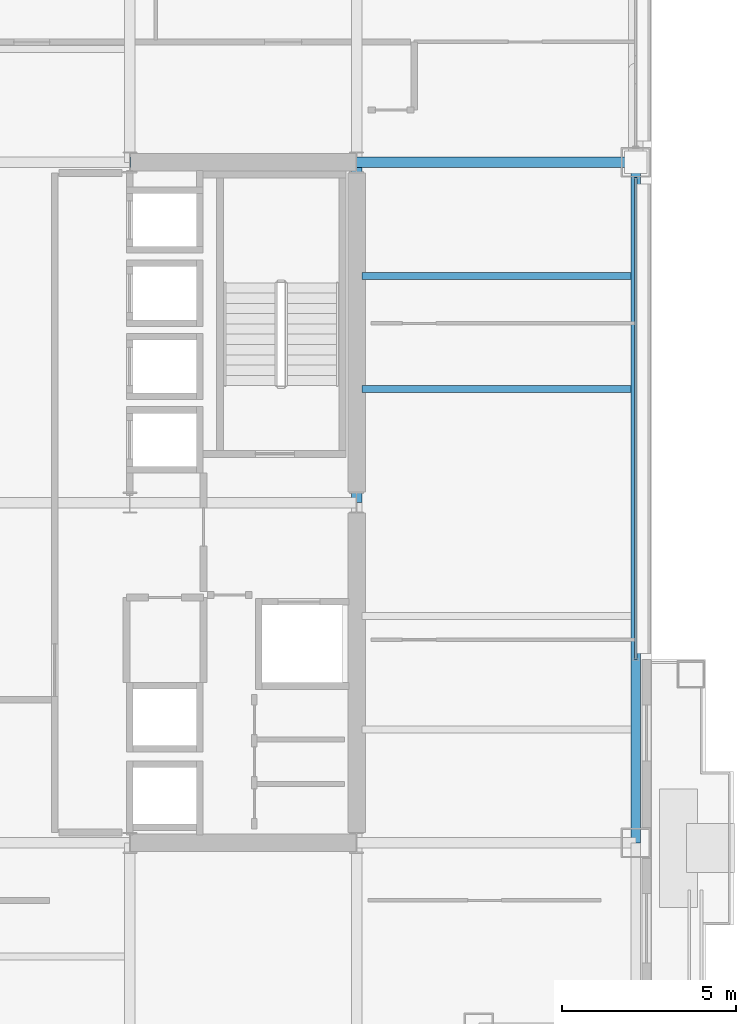
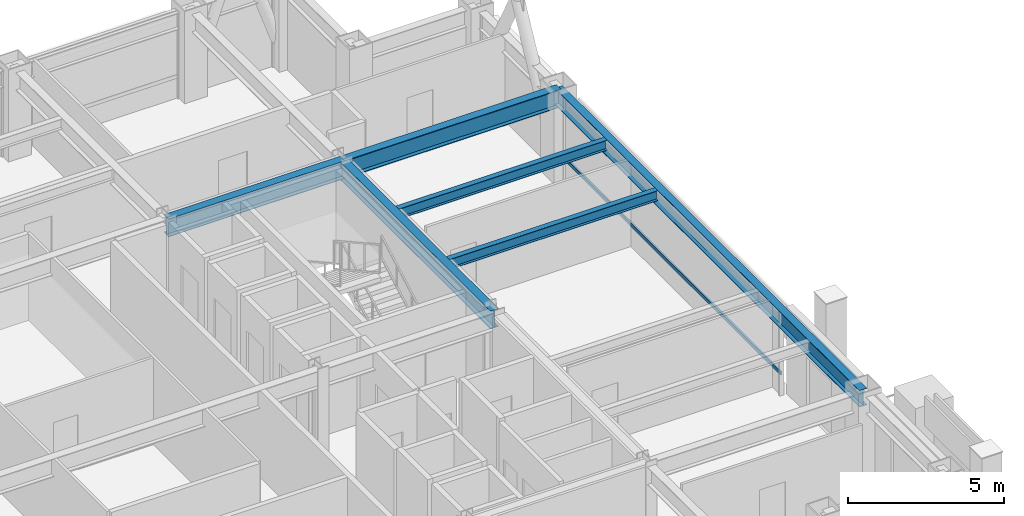
# One storey, part 15 of 32: 6 beams, 1 member, 1 element without a shape of its own.
"""IFC4 building model written with IfcOpenShell, lengths in metres."""

from ifc_helpers import new_model, si_unit, direction, frame, origin, origin_2d, place, context, subcontext, project, spatial, hollow_rectangle, i_section, extrude, material, layer, layer_set, material_profile, profile_set, type_object, element, aggregate, save


model = new_model("IFC4")

# Units and contexts
model_context = context("Model", 3, precision=1e-05, world=origin(), true_north=direction((0.0, 1.0)))
body_context = subcontext(model_context, "Body", "Model", "MODEL_VIEW")
ifc_project = project(units=[si_unit("LENGTHUNIT", "METRE"), si_unit("AREAUNIT", "SQUARE_METRE"), si_unit("VOLUMEUNIT", "CUBIC_METRE"), si_unit("PLANEANGLEUNIT", "RADIAN"), si_unit("MASSUNIT", "GRAM", prefix="KILO")], contexts=[model_context])

# Site, building, storey
site_placement = place(None, origin())
site = spatial("IfcSite", under=ifc_project, at=site_placement, CompositionType="ELEMENT")
building_placement = place(site_placement, origin())
building = spatial("IfcBuilding", under=site, at=building_placement, Name="Brelmoor Portico Tower", CompositionType="ELEMENT")
storey_placement = place(building_placement, frame((0.0, 0.0, 109.800048828125)))
storey = spatial("IfcBuildingStorey", under=building, at=storey_placement, Name="L28", CompositionType="ELEMENT", Elevation=109.800048828125)

# Beams
ifc_material_1 = material(Name="Steel Q355B", Category="steel")
ifc_material_profile_1 = material_profile(ifc_material_1, i_section(OverallWidth=0.199951171875, OverallDepth=0.39990234375, WebThickness=0.008056640625, FlangeThickness=0.012939453125, at=origin_2d()), Name="HN 400x200x8x13")
ifc_profile_set_1 = profile_set([ifc_material_profile_1], Name="Steel Q355B")
beam_type_1 = type_object("IfcBeamType", Name="BM-JS-400", PredefinedType="JOIST", material=ifc_profile_set_1)
for number, where, z_axis, x_axis, name in (
    (1, (14.699951171875, 3.25, 3.199951171875), (1.0, 0.0, 0.0), (0.0, 1.0, 0.0), "L28 Secondary Wing Joist JS-E11"),
    (2, (14.699951171875, 6.5, 3.199951171875), (1.0, 0.0, 0.0), (0.0, 1.0, 0.0), "L28 Secondary Wing Joist JS-E12"),
):
    element("IfcBeam", number, at=place(storey_placement, frame(where, z_axis=z_axis, x_axis=x_axis)), inside=storey, type_object=beam_type_1, Name=name, PredefinedType="JOIST", context=body_context, shape_type="SweptSolid", body=[
        extrude(i_section(OverallWidth=0.199951171875, OverallDepth=0.39990234375, WebThickness=0.008056640625, FlangeThickness=0.012939453125, at=origin_2d()), origin(), (0.0, 0.0, 1.0), 7.7099609375),
    ])
ifc_material_profile_2 = material_profile(ifc_material_1, i_section(OverallWidth=0.300048828125, OverallDepth=0.699951171875, WebThickness=0.012939453125, FlangeThickness=0.02392578125, at=origin_2d()), Name="HN 700x300x13x24")
ifc_profile_set_2 = profile_set([ifc_material_profile_2], Name="Steel Q355B")
beam_type_2 = type_object("IfcBeamType", Name="BM-PG-700", PredefinedType="BEAM", material=ifc_profile_set_2)
beam_1_placement = place(storey_placement, frame((14.550048828125, 0.0, 3.050048828125), z_axis=(0.0, 1.0, 0.0), x_axis=(-1.0, 0.0, 0.0)))
element("IfcBeam", 3, at=beam_1_placement, inside=storey, type_object=beam_type_2, Name="L28 Primary Floor Girder PG-12", PredefinedType="BEAM", context=body_context, shape_type="SweptSolid", body=[
    extrude(i_section(OverallWidth=0.300048828125, OverallDepth=0.699951171875, WebThickness=0.012939453125, FlangeThickness=0.02392578125, at=origin_2d()), origin(), (0.0, 0.0, 1.0), 9.75),
])
beam_2_placement = place(storey_placement, frame((8.050048828125, 9.75, 3.050048828125), z_axis=(1.0, 0.0, 0.0), x_axis=(0.0, 1.0, 0.0)))
element("IfcBeam", 4, at=beam_2_placement, inside=storey, type_object=beam_type_2, Name="L28 Primary Floor Girder PG-25", PredefinedType="BEAM", context=body_context, shape_type="SweptSolid", body=[
    extrude(i_section(OverallWidth=0.300048828125, OverallDepth=0.699951171875, WebThickness=0.012939453125, FlangeThickness=0.02392578125, at=origin_2d()), origin(), (0.0, 0.0, 1.0), 6.5),
])
beam_3_placement = place(storey_placement, frame((14.550048828125, 9.75, 3.050048828125), z_axis=(1.0, 0.0, 0.0), x_axis=(0.0, 1.0, 0.0)))
element("IfcBeam", 5, at=beam_3_placement, inside=storey, type_object=beam_type_2, Name="L28 Primary Floor Girder PG-26", PredefinedType="BEAM", context=body_context, shape_type="SweptSolid", body=[
    extrude(i_section(OverallWidth=0.300048828125, OverallDepth=0.699951171875, WebThickness=0.012939453125, FlangeThickness=0.02392578125, at=origin_2d()), origin(), (0.0, 0.0, 1.0), 8.0),
])
ifc_material_profile_3 = material_profile(ifc_material_1, i_section(OverallWidth=0.280029296875, OverallDepth=0.64990234375, WebThickness=0.012939453125, FlangeThickness=0.02197265625, at=origin_2d()), Name="HN 650x280x13x22")
ifc_profile_set_3 = profile_set([ifc_material_profile_3], Name="Steel Q355B")
beam_type_3 = type_object("IfcBeamType", Name="BM-SP-650", PredefinedType="SPANDREL", material=ifc_profile_set_3)
beam_4_placement = place(storey_placement, frame((22.550048828125, -9.75, 3.074951171875), z_axis=(0.0, 1.0, 0.0), x_axis=(-1.0, 0.0, 0.0)))
element("IfcBeam", 6, at=beam_4_placement, inside=storey, type_object=beam_type_3, Name="L28 Perimeter Spandrel Beam SP-23", PredefinedType="SPANDREL", context=body_context, shape_type="SweptSolid", body=[
    extrude(i_section(OverallWidth=0.280029296875, OverallDepth=0.64990234375, WebThickness=0.012939453125, FlangeThickness=0.02197265625, at=origin_2d()), origin(), (0.0, 0.0, 1.0), 19.5),
])

# Curtain wall, member
ifc_material_2 = material(Name="Anodised Aluminium Alloy 6063-T6", Category="aluminium")
ifc_layer = layer(ifc_material_2, 0.179931640625)
ifc_layer_set = layer_set([ifc_layer], Name="Anodised Aluminium Alloy 6063-T6")
curtain_wall_type = type_object("IfcCurtainWallType", Name="CW-TOWER-Z2", PredefinedType="NOTDEFINED", material=ifc_layer_set)
curtain_wall_placement = place(storey_placement, origin())
curtain_wall = element("IfcCurtainWall", 7, at=curtain_wall_placement, inside=storey, type_object=curtain_wall_type, Name="L28 Curtain Wall CW-L28-4R-1", PredefinedType="NOTDEFINED")
ifc_material_profile_4 = material_profile(ifc_material_2, hollow_rectangle(XDim=0.06494140625, YDim=0.139892578125, WallThickness=0.00390625, at=origin_2d()), Name="ALU TRANSOM 65x140")
ifc_profile_set_4 = profile_set([ifc_material_profile_4], Name="Anodised Aluminium Alloy 6063-T6")
member_type = type_object("IfcMemberType", Name="MB-CW-TRAN-140", PredefinedType="USERDEFINED", material=ifc_profile_set_4)
member_placement = place(storey_placement, frame((22.550048828125, -4.5, 0.849853515625), z_axis=(0.0, 1.0, 0.0), x_axis=(-1.0, 0.0, 0.0)))
member = element("IfcMember", 8, at=member_placement, type_object=member_type, Name="CW-L28-4R-1 Transom 1-00", ObjectType="TRANSOM", PredefinedType="USERDEFINED", context=body_context, shape_type="SweptSolid", body=[
    extrude(hollow_rectangle(XDim=0.06494140625, YDim=0.139892578125, WallThickness=0.00390625, at=origin_2d()), origin(), (0.0, 0.0, 1.0), 13.81494140625),
])
aggregate(curtain_wall, [member])

save(model, "model.ifc")
